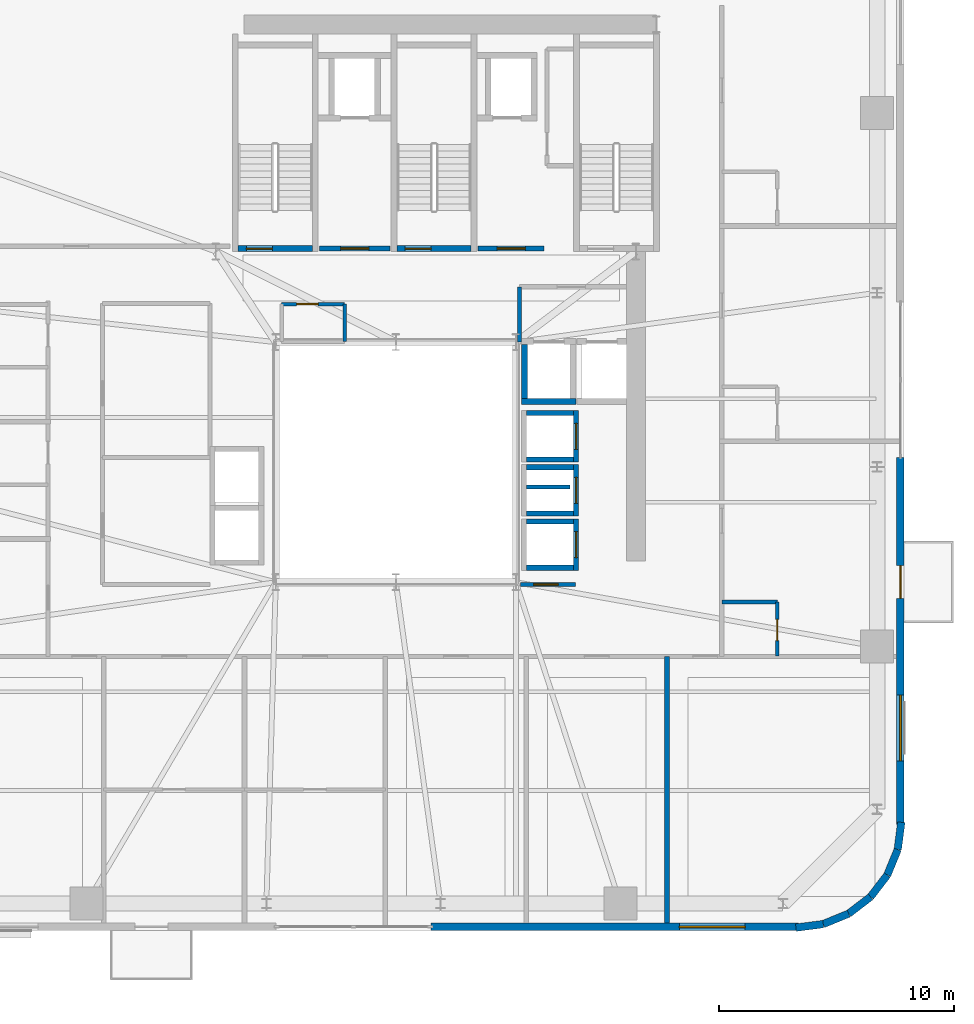
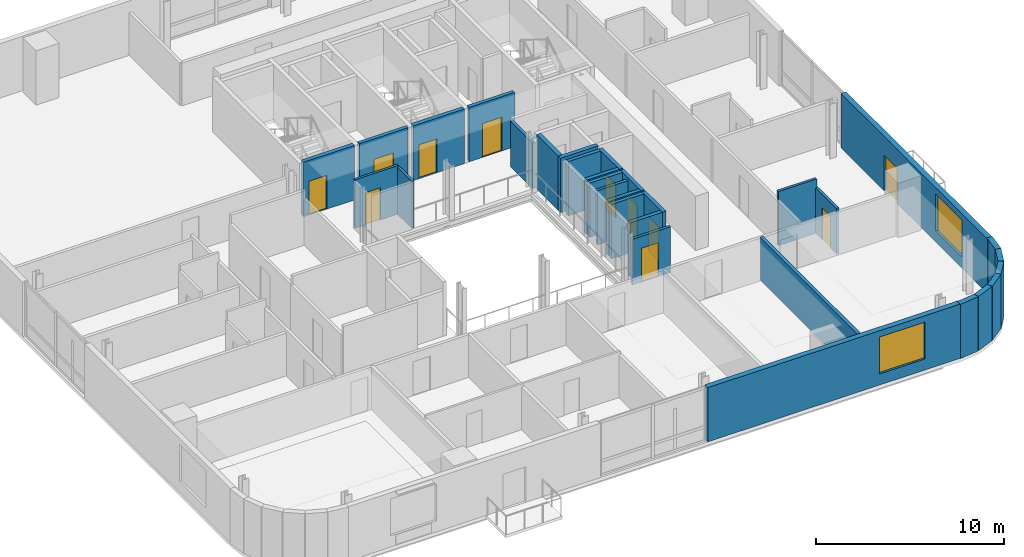
# One storey, part 9 of 16: 31 walls, 11 doors, 2 windows, 13 openings.
"""IFC4 building model written with IfcOpenShell, lengths in metres."""

from ifc_helpers import new_model, si_unit, direction, frame, frame_2d, origin, place, context, subcontext, project, spatial, rectangle, extrude, source, transform, mapped, material, layer, layer_set, type_object, element, fill, save


model = new_model("IFC4")

# Units and contexts
model_context = context("Model", 3, precision=1e-05, world=origin(), true_north=direction((0.0, 1.0)))
body_context = subcontext(model_context, "Body", "Model", "MODEL_VIEW")
ifc_project = project(units=[si_unit("LENGTHUNIT", "METRE"), si_unit("AREAUNIT", "SQUARE_METRE"), si_unit("VOLUMEUNIT", "CUBIC_METRE"), si_unit("PLANEANGLEUNIT", "RADIAN"), si_unit("MASSUNIT", "GRAM", prefix="KILO")], contexts=[model_context])

# Site, building, storey
site_placement = place(None, origin())
site = spatial("IfcSite", under=ifc_project, at=site_placement, CompositionType="ELEMENT")
building_placement = place(site_placement, origin())
building = spatial("IfcBuilding", under=site, at=building_placement, Name="Vardaveli Station Tower", CompositionType="ELEMENT")
storey_placement = place(building_placement, frame((0.0, 0.0, 203.550048828125)))
storey = spatial("IfcBuildingStorey", under=building, at=storey_placement, Name="L52", CompositionType="ELEMENT", Elevation=203.550048828125)

# Wall, opening, window
ifc_material_1 = material(Name="Precast concrete C45/55", Category="concrete")
ifc_layer_1 = layer(ifc_material_1, 0.320068359375, Name="Precast concrete C45/55")
ifc_layer_set_1 = layer_set([ifc_layer_1], Name="Precast concrete C45/55")
wall_type_1 = type_object("IfcWallType", Name="WAL-EXT-STONE-320", PredefinedType="SOLIDWALL", material=ifc_layer_set_1)
shared_shape_1 = source(origin(), body_context, "Body", "SweptSolid", [
    extrude(rectangle(XDim=15.599853515625, YDim=0.320068359375, at=frame_2d((7.7998046875, 0.0))), origin(), (0.0, 0.0, 1.0), 3.530029296875),
])
wall_1_placement = place(storey_placement, frame((37.800048828125, 1.9599609375, 0.0), z_axis=(0.0, 0.0, 1.0), x_axis=(1.0, 0.0, 0.0)))
wall_1 = element("IfcWall", 1, at=wall_1_placement, inside=storey, type_object=wall_type_1, Name="EW-L52-S2", PredefinedType="SOLIDWALL", context=body_context, shape_type="MappedRepresentation", body=[
    mapped(shared_shape_1, transform((0.0, 0.0, 0.0), scale=1.0)),
])
shared_shape_2 = source(origin(), body_context, "Body", "SweptSolid", [
    extrude(rectangle(XDim=2.800048828125, YDim=2.39990234375, at=frame_2d((1.39990234375, 1.199951171875))), frame((0.0, 0.169921875, 0.0), z_axis=(0.0, -1.0, 0.0), x_axis=(1.0, 0.0, 0.0)), (0.0, 0.0, 1.0), 0.340087890625),
])
opening_1_placement = place(wall_1_placement, frame((10.544921875, 0.0, 0.719970703125)))
opening_1 = element("IfcOpeningElement", 2, at=opening_1_placement, cuts=wall_1, Name="Opening W-04", PredefinedType="OPENING", context=body_context, shape_type="MappedRepresentation", body=[
    mapped(shared_shape_2, transform((0.0, 0.0, 0.0), scale=1.0)),
])
ifc_material_2 = material(Name="Low-E solar-control glass", Category="glass")
window_type = type_object("IfcWindowType", Name="WIN-SUITE-2800x2400", PartitioningType="SINGLE_PANEL", PredefinedType="WINDOW", material=ifc_material_2)
shared_shape_3 = source(origin(), body_context, "Body", "SweptSolid", [
    extrude(rectangle(XDim=2.800048828125, YDim=2.39990234375, at=frame_2d((1.39990234375, 1.199951171875))), frame((0.0, 0.030029296875, 0.0), z_axis=(0.0, -1.0, 0.0), x_axis=(1.0, 0.0, 0.0)), (0.0, 0.0, 1.0), 0.06005859375),
])
window_1_placement = place(opening_1_placement, origin())
window_1 = element("IfcWindow", 3, at=window_1_placement, inside=storey, type_object=window_type, Name="WN-L52-S2", OverallHeight=2.39990234375, OverallWidth=2.800048828125, PartitioningType="SINGLE_PANEL", PredefinedType="WINDOW", context=body_context, shape_type="MappedRepresentation", body=[
    mapped(shared_shape_3, transform((0.0, 0.0, 0.0), scale=1.0)),
])
fill(opening_1, window_1)

# Wall, openings, door, window
wall_2_placement = place(storey_placement, frame((57.739990234375, 6.300048828125, 0.0), z_axis=(0.0, 0.0, 1.0), x_axis=(0.0, 1.0, 0.0)))
wall_2 = element("IfcWall", 4, at=wall_2_placement, inside=storey, type_object=wall_type_1, Name="EW-L52-E1", PredefinedType="SOLIDWALL", context=body_context, shape_type="MappedRepresentation", body=[
    mapped(shared_shape_1, transform((0.0, 0.0, 0.0), scale=1.0)),
])
shared_shape_4 = source(origin(), body_context, "Body", "SweptSolid", [
    extrude(rectangle(XDim=1.39990234375, YDim=2.300048828125, at=frame_2d((0.699951171875, 1.14990234375))), frame((0.0, 0.169921875, 0.0), z_axis=(0.0, -1.0, 0.0), x_axis=(1.0, 0.0, 0.0)), (0.0, 0.0, 1.0), 0.340087890625),
])
opening_2_placement = place(wall_2_placement, frame((9.6103515625, 0.0, 0.0)))
opening_2 = element("IfcOpeningElement", 5, at=opening_2_placement, cuts=wall_2, Name="Opening D-09", PredefinedType="OPENING", context=body_context, shape_type="MappedRepresentation", body=[
    mapped(shared_shape_4, transform((0.0, 0.0, 0.0), scale=1.0)),
])
opening_3_placement = place(wall_2_placement, frame((2.705078125, 0.0, 0.719970703125)))
opening_3 = element("IfcOpeningElement", 6, at=opening_3_placement, cuts=wall_2, Name="Opening W-04", PredefinedType="OPENING", context=body_context, shape_type="MappedRepresentation", body=[
    mapped(shared_shape_2, transform((0.0, 0.0, 0.0), scale=1.0)),
])
ifc_material_3 = material(Name="Thermally broken aluminium glass", Category="aluminium")
door_type_1 = type_object("IfcDoorType", Name="DR-LOG-1400x2300", OperationType="DOUBLE_DOOR_SLIDING", PredefinedType="DOOR", material=ifc_material_3)
shared_shape_5 = source(origin(), body_context, "Body", "SweptSolid", [
    extrude(rectangle(XDim=1.39990234375, YDim=2.300048828125, at=frame_2d((0.699951171875, 1.14990234375))), frame((0.0, 0.02490234375, 0.0), z_axis=(0.0, -1.0, 0.0), x_axis=(1.0, 0.0, 0.0)), (0.0, 0.0, 1.0), 0.050048828125),
])
door_1_placement = place(opening_2_placement, frame((1.39990234375, 0.0, 0.0), z_axis=(0.0, 0.0, 1.0), x_axis=(-1.0, 0.0, 0.0)))
door_1 = element("IfcDoor", 7, at=door_1_placement, inside=storey, type_object=door_type_1, Name="DLG-L52-E", OperationType="DOUBLE_DOOR_SLIDING", OverallHeight=2.300048828125, OverallWidth=1.39990234375, PredefinedType="DOOR", context=body_context, shape_type="MappedRepresentation", body=[
    mapped(shared_shape_5, transform((0.0, 0.0, 0.0), scale=1.0)),
])
fill(opening_2, door_1)
window_2_placement = place(opening_3_placement, origin())
window_2 = element("IfcWindow", 8, at=window_2_placement, inside=storey, type_object=window_type, Name="WN-L52-E1", OverallHeight=2.39990234375, OverallWidth=2.800048828125, PartitioningType="SINGLE_PANEL", PredefinedType="WINDOW", context=body_context, shape_type="MappedRepresentation", body=[
    mapped(shared_shape_3, transform((0.0, 0.0, 0.0), scale=1.0)),
])
fill(opening_3, window_2)

# Walls
shared_shape_6 = source(origin(), body_context, "Body", "SweptSolid", [
    extrude(rectangle(XDim=1.170654296875, YDim=0.320068359375, at=frame_2d((0.58544921875, 0.0))), origin(), (0.0, 0.0, 1.0), 3.530029296875),
])
wall_3_placement = place(storey_placement, frame((57.62548828125, 5.23974609375, 0.0), z_axis=(0.0, 0.0, 1.0), x_axis=(0.128269133229, 0.991739395941, 0.0)))
element("IfcWall", 9, at=wall_3_placement, inside=storey, type_object=wall_type_1, Name="EW-L52-CR2-6", PredefinedType="SOLIDWALL", context=body_context, shape_type="MappedRepresentation", body=[
    mapped(shared_shape_6, transform((0.0, 0.0, 0.0), scale=1.0)),
])
shared_shape_7 = source(origin(), body_context, "Body", "SweptSolid", [
    extrude(rectangle(XDim=1.1689453125, YDim=0.320068359375, at=frame_2d((0.58447265625, 0.0))), origin(), (0.0, 0.0, 1.0), 3.530029296875),
])
for number, where, z_axis, x_axis, name in (
    (10, (56.46875, 3.231201171875, 0.0), (0.0, 0.0, 1.0), (0.608387696831, 0.793639975269, 0.0), "EW-L52-CR2-4"),
    (11, (57.179931640625, 4.158935546875, 0.0), (0.0, 0.0, 1.0), (0.381127904695, 0.924522320046, 0.0), "EW-L52-CR2-5"),
):
    element("IfcWall", number, at=place(storey_placement, frame(where, z_axis=z_axis, x_axis=x_axis)), inside=storey, type_object=wall_type_1, Name=name, PredefinedType="SOLIDWALL", context=body_context, shape_type="MappedRepresentation", body=[
        mapped(shared_shape_7, transform((0.0, 0.0, 0.0), scale=1.0)),
    ])
shared_shape_8 = source(origin(), body_context, "Body", "SweptSolid", [
    extrude(rectangle(XDim=1.168701171875, YDim=0.320068359375, at=frame_2d((0.58447265625, 0.0))), origin(), (0.0, 0.0, 1.0), 3.530029296875),
])
wall_4_placement = place(storey_placement, frame((55.541259765625, 2.520263671875, 0.0), z_axis=(0.0, 0.0, 1.0), x_axis=(0.793663520347, 0.608356981114, 0.0)))
element("IfcWall", 12, at=wall_4_placement, inside=storey, type_object=wall_type_1, Name="EW-L52-CR2-3", PredefinedType="SOLIDWALL", context=body_context, shape_type="MappedRepresentation", body=[
    mapped(shared_shape_8, transform((0.0, 0.0, 0.0), scale=1.0)),
])
shared_shape_9 = source(origin(), body_context, "Body", "SweptSolid", [
    extrude(rectangle(XDim=1.16943359375, YDim=0.320068359375, at=frame_2d((0.584716796875, 0.0))), origin(), (0.0, 0.0, 1.0), 3.530029296875),
])
wall_5_placement = place(storey_placement, frame((54.460205078125, 2.074462890625, 0.0), z_axis=(0.0, 0.0, 1.0), x_axis=(0.924479075121, 0.381232789334, 0.0)))
element("IfcWall", 13, at=wall_5_placement, inside=storey, type_object=wall_type_1, Name="EW-L52-CR2-2", PredefinedType="SOLIDWALL", context=body_context, shape_type="MappedRepresentation", body=[
    mapped(shared_shape_9, transform((0.0, 0.0, 0.0), scale=1.0)),
])
shared_shape_10 = source(origin(), body_context, "Body", "SweptSolid", [
    extrude(rectangle(XDim=1.170166015625, YDim=0.320068359375, at=frame_2d((0.5849609375, 0.0))), origin(), (0.0, 0.0, 1.0), 3.530029296875),
])
wall_6_placement = place(storey_placement, frame((53.299560546875, 1.924560546875, 0.0), z_axis=(0.0, 0.0, 1.0), x_axis=(0.991762485493, 0.128090485085, 0.0)))
element("IfcWall", 14, at=wall_6_placement, inside=storey, type_object=wall_type_1, Name="EW-L52-CR2-1", PredefinedType="SOLIDWALL", context=body_context, shape_type="MappedRepresentation", body=[
    mapped(shared_shape_10, transform((0.0, 0.0, 0.0), scale=1.0)),
])

# Wall, opening, door
ifc_material_4 = material(Name="Concrete C40/50", Category="concrete")
ifc_layer_2 = layer(ifc_material_4, 0.25, Name="Concrete C40/50")
ifc_layer_set_2 = layer_set([ifc_layer_2], Name="Concrete C40/50")
wall_type_2 = type_object("IfcWallType", Name="WAL-SHAFT-250", PredefinedType="SOLIDWALL", material=ifc_layer_set_2)
shared_shape_11 = source(origin(), body_context, "Body", "SweptSolid", [
    extrude(rectangle(XDim=3.14990234375, YDim=0.25, at=frame_2d((1.574951171875, 0.0))), origin(), (0.0, 0.0, 1.0), 3.550048828125),
])
wall_7_placement = place(storey_placement, frame((29.60009765625, 30.77490234375, 0.0), z_axis=(0.0, 0.0, 1.0), x_axis=(1.0, 0.0, 0.0)))
wall_7 = element("IfcWall", 15, at=wall_7_placement, inside=storey, type_object=wall_type_2, Name="W-L52-ST-1S", PredefinedType="SOLIDWALL", context=body_context, shape_type="MappedRepresentation", body=[
    mapped(shared_shape_11, transform((0.0, 0.0, 0.0), scale=1.0)),
])
shared_shape_12 = source(origin(), body_context, "Body", "SweptSolid", [
    extrude(rectangle(XDim=1.10009765625, YDim=2.199951171875, at=frame_2d((0.550048828125, 1.10009765625))), frame((0.0, 0.135009765625, 0.0), z_axis=(0.0, -1.0, 0.0), x_axis=(1.0, 0.0, 0.0)), (0.0, 0.0, 1.0), 0.27001953125),
])
opening_4_placement = place(wall_7_placement, frame((0.35009765625, 0.0, 0.0)))
opening_4 = element("IfcOpeningElement", 16, at=opening_4_placement, cuts=wall_7, Name="Opening D-04", PredefinedType="OPENING", context=body_context, shape_type="MappedRepresentation", body=[
    mapped(shared_shape_12, transform((0.0, 0.0, 0.0), scale=1.0)),
])
ifc_material_5 = material(Name="Steel smokeproof fire doorset", Category="steel")
door_type_2 = type_object("IfcDoorType", Name="DR-ST-1100x2200", OperationType="NOTDEFINED", PredefinedType="DOOR", material=ifc_material_5)
shared_shape_13 = source(origin(), body_context, "Body", "SweptSolid", [
    extrude(rectangle(XDim=1.10009765625, YDim=2.199951171875, at=frame_2d((0.550048828125, 1.10009765625))), frame((0.0, 0.02490234375, 0.0), z_axis=(0.0, -1.0, 0.0), x_axis=(1.0, 0.0, 0.0)), (0.0, 0.0, 1.0), 0.050048828125),
])
door_2_placement = place(opening_4_placement, origin())
door_2 = element("IfcDoor", 17, at=door_2_placement, inside=storey, type_object=door_type_2, Name="DST-1-L52", OperationType="SINGLE_SWING_LEFT", OverallHeight=2.199951171875, OverallWidth=1.10009765625, PredefinedType="DOOR", context=body_context, shape_type="MappedRepresentation", body=[
    mapped(shared_shape_13, transform((0.0, 0.0, 0.0), scale=1.0)),
])
fill(opening_4, door_2)

wall_8_placement = place(storey_placement, frame((36.35009765625, 30.77490234375, 0.0), z_axis=(0.0, 0.0, 1.0), x_axis=(1.0, 0.0, 0.0)))
wall_8 = element("IfcWall", 18, at=wall_8_placement, inside=storey, type_object=wall_type_2, Name="W-L52-ST-2S", PredefinedType="SOLIDWALL", context=body_context, shape_type="MappedRepresentation", body=[
    mapped(shared_shape_11, transform((0.0, 0.0, 0.0), scale=1.0)),
])
opening_5_placement = place(wall_8_placement, frame((0.35009765625, 0.0, 0.0)))
opening_5 = element("IfcOpeningElement", 19, at=opening_5_placement, cuts=wall_8, Name="Opening D-04", PredefinedType="OPENING", context=body_context, shape_type="MappedRepresentation", body=[
    mapped(shared_shape_12, transform((0.0, 0.0, 0.0), scale=1.0)),
])
door_3_placement = place(opening_5_placement, origin())
door_3 = element("IfcDoor", 20, at=door_3_placement, inside=storey, type_object=door_type_2, Name="DST-2-L52", OperationType="SINGLE_SWING_LEFT", OverallHeight=2.199951171875, OverallWidth=1.10009765625, PredefinedType="DOOR", context=body_context, shape_type="MappedRepresentation", body=[
    mapped(shared_shape_13, transform((0.0, 0.0, 0.0), scale=1.0)),
])
fill(opening_5, door_3)

ifc_layer_3 = layer(ifc_material_4, 0.219970703125, Name="Concrete C40/50")
ifc_layer_set_3 = layer_set([ifc_layer_3], Name="Concrete C40/50")
wall_type_3 = type_object("IfcWallType", Name="WAL-FFLOBBY-220", PredefinedType="SOLIDWALL", material=ifc_layer_set_3)
shared_shape_14 = source(origin(), body_context, "Body", "SweptSolid", [
    extrude(rectangle(XDim=3.0, YDim=0.219970703125, at=frame_2d((1.5, 0.0))), origin(), (0.0, 0.0, 1.0), 3.530029296875),
])
wall_9_placement = place(storey_placement, frame((33.050048828125, 30.780029296875, 0.0), z_axis=(0.0, 0.0, 1.0), x_axis=(1.0, 0.0, 0.0)))
wall_9 = element("IfcWall", 21, at=wall_9_placement, inside=storey, type_object=wall_type_3, Name="W-L52-FFL1S", PredefinedType="SOLIDWALL", context=body_context, shape_type="MappedRepresentation", body=[
    mapped(shared_shape_14, transform((0.0, 0.0, 0.0), scale=1.0)),
])
shared_shape_15 = source(origin(), body_context, "Body", "SweptSolid", [
    extrude(rectangle(XDim=1.199951171875, YDim=2.199951171875, at=frame_2d((0.60009765625, 1.10009765625))), frame((0.0, 0.1201171875, 0.0), z_axis=(0.0, -1.0, 0.0), x_axis=(1.0, 0.0, 0.0)), (0.0, 0.0, 1.0), 0.239990234375),
])
opening_6_placement = place(wall_9_placement, frame((0.89990234375, 0.0, 0.0)))
opening_6 = element("IfcOpeningElement", 22, at=opening_6_placement, cuts=wall_9, Name="Opening D-03", PredefinedType="OPENING", context=body_context, shape_type="MappedRepresentation", body=[
    mapped(shared_shape_15, transform((0.0, 0.0, 0.0), scale=1.0)),
])
door_type_3 = type_object("IfcDoorType", Name="DR-FFL-1200x2200", OperationType="NOTDEFINED", PredefinedType="DOOR", material=ifc_material_5)
shared_shape_16 = source(origin(), body_context, "Body", "SweptSolid", [
    extrude(rectangle(XDim=1.199951171875, YDim=2.199951171875, at=frame_2d((0.60009765625, 1.10009765625))), frame((0.0, 0.02490234375, 0.0), z_axis=(0.0, -1.0, 0.0), x_axis=(1.0, 0.0, 0.0)), (0.0, 0.0, 1.0), 0.050048828125),
])
door_4_placement = place(opening_6_placement, origin())
door_4 = element("IfcDoor", 23, at=door_4_placement, inside=storey, type_object=door_type_3, Name="DFFL1-L52", OperationType="SINGLE_SWING_LEFT", OverallHeight=2.199951171875, OverallWidth=1.199951171875, PredefinedType="DOOR", context=body_context, shape_type="MappedRepresentation", body=[
    mapped(shared_shape_16, transform((0.0, 0.0, 0.0), scale=1.0)),
])
fill(opening_6, door_4)

shared_shape_17 = source(origin(), body_context, "Body", "SweptSolid", [
    extrude(rectangle(XDim=2.800048828125, YDim=0.219970703125, at=frame_2d((1.39990234375, 0.0))), origin(), (0.0, 0.0, 1.0), 3.530029296875),
])
wall_10_placement = place(storey_placement, frame((39.800048828125, 30.780029296875, 0.0), z_axis=(0.0, 0.0, 1.0), x_axis=(1.0, 0.0, 0.0)))
wall_10 = element("IfcWall", 24, at=wall_10_placement, inside=storey, type_object=wall_type_3, Name="W-L52-FFL2S", PredefinedType="SOLIDWALL", context=body_context, shape_type="MappedRepresentation", body=[
    mapped(shared_shape_17, transform((0.0, 0.0, 0.0), scale=1.0)),
])
opening_7_placement = place(wall_10_placement, frame((0.800048828125, 0.0, 0.0)))
opening_7 = element("IfcOpeningElement", 25, at=opening_7_placement, cuts=wall_10, Name="Opening D-03", PredefinedType="OPENING", context=body_context, shape_type="MappedRepresentation", body=[
    mapped(shared_shape_15, transform((0.0, 0.0, 0.0), scale=1.0)),
])
door_5_placement = place(opening_7_placement, origin())
door_5 = element("IfcDoor", 26, at=door_5_placement, inside=storey, type_object=door_type_3, Name="DFFL2-L52", OperationType="SINGLE_SWING_RIGHT", OverallHeight=2.199951171875, OverallWidth=1.199951171875, PredefinedType="DOOR", context=body_context, shape_type="MappedRepresentation", body=[
    mapped(shared_shape_16, transform((0.0, 0.0, 0.0), scale=1.0)),
])
fill(opening_7, door_5)

# Walls
shared_shape_18 = source(origin(), body_context, "Body", "SweptSolid", [
    extrude(rectangle(XDim=2.0, YDim=0.219970703125, at=frame_2d((1.0, 0.0))), origin(), (0.0, 0.0, 1.0), 3.530029296875),
])
for number, where, z_axis, x_axis, name in (
    (27, (41.85009765625, 21.81494140625, 0.0), (0.0, 0.0, 1.0), (1.0, 0.0, 0.0), "SHW-HL3-01-L52-S"),
    (28, (41.85009765625, 23.784912109375, 0.0), (0.0, 0.0, 1.0), (1.0, 0.0, 0.0), "SHW-HL3-01-L52-N"),
    (29, (41.85009765625, 19.514892578125, 0.0), (0.0, 0.0, 1.0), (1.0, 0.0, 0.0), "SHW-HL3-02-L52-S"),
    (30, (41.85009765625, 21.485107421875, 0.0), (0.0, 0.0, 1.0), (1.0, 0.0, 0.0), "SHW-HL3-02-L52-N"),
    (31, (41.85009765625, 17.215087890625, 0.0), (0.0, 0.0, 1.0), (1.0, 0.0, 0.0), "SHW-HL3-03-L52-S"),
    (32, (41.85009765625, 19.18505859375, 0.0), (0.0, 0.0, 1.0), (1.0, 0.0, 0.0), "SHW-HL3-03-L52-N"),
):
    element("IfcWall", number, at=place(storey_placement, frame(where, z_axis=z_axis, x_axis=x_axis)), inside=storey, type_object=wall_type_3, Name=name, PredefinedType="SOLIDWALL", context=body_context, shape_type="MappedRepresentation", body=[
        mapped(shared_shape_18, transform((0.0, 0.0, 0.0), scale=1.0)),
    ])

# Wall, opening, door
shared_shape_19 = source(origin(), body_context, "Body", "SweptSolid", [
    extrude(rectangle(XDim=2.18994140625, YDim=0.219970703125, at=frame_2d((1.094970703125, 0.0))), origin(), (0.0, 0.0, 1.0), 3.530029296875),
])
wall_11_placement = place(storey_placement, frame((43.9599609375, 21.705078125, 0.0), z_axis=(0.0, 0.0, 1.0), x_axis=(0.0, 1.0, 0.0)))
wall_11 = element("IfcWall", 33, at=wall_11_placement, inside=storey, type_object=wall_type_3, Name="SHW-HL3-01-L52-E", PredefinedType="SOLIDWALL", context=body_context, shape_type="MappedRepresentation", body=[
    mapped(shared_shape_19, transform((0.0, 0.0, 0.0), scale=1.0)),
])
shared_shape_20 = source(origin(), body_context, "Body", "SweptSolid", [
    extrude(rectangle(XDim=1.10009765625, YDim=2.199951171875, at=frame_2d((0.550048828125, 1.10009765625))), frame((0.0, 0.1201171875, 0.0), z_axis=(0.0, -1.0, 0.0), x_axis=(1.0, 0.0, 0.0)), (0.0, 0.0, 1.0), 0.239990234375),
])
opening_8_placement = place(wall_11_placement, frame((0.544921875, 0.0, 0.0)))
opening_8 = element("IfcOpeningElement", 34, at=opening_8_placement, cuts=wall_11, Name="Opening LD-01", PredefinedType="OPENING", context=body_context, shape_type="MappedRepresentation", body=[
    mapped(shared_shape_20, transform((0.0, 0.0, 0.0), scale=1.0)),
])
ifc_material_6 = material(Name="Brushed stainless steel", Category="steel")
door_type_4 = type_object("IfcDoorType", Name="DR-LD-1100x2200", OperationType="DOUBLE_DOOR_SLIDING", PredefinedType="DOOR", material=ifc_material_6)
door_6_placement = place(opening_8_placement, origin())
door_6 = element("IfcDoor", 35, at=door_6_placement, inside=storey, type_object=door_type_4, Name="LD-HL3-01-L52", OperationType="DOUBLE_DOOR_SLIDING", OverallHeight=2.199951171875, OverallWidth=1.10009765625, PredefinedType="DOOR", context=body_context, shape_type="MappedRepresentation", body=[
    mapped(shared_shape_13, transform((0.0, 0.0, 0.0), scale=1.0)),
])
fill(opening_8, door_6)

wall_12_placement = place(storey_placement, frame((43.9599609375, 19.405029296875, 0.0), z_axis=(0.0, 0.0, 1.0), x_axis=(0.0, 1.0, 0.0)))
wall_12 = element("IfcWall", 36, at=wall_12_placement, inside=storey, type_object=wall_type_3, Name="SHW-HL3-02-L52-E", PredefinedType="SOLIDWALL", context=body_context, shape_type="MappedRepresentation", body=[
    mapped(shared_shape_19, transform((0.0, 0.0, 0.0), scale=1.0)),
])
opening_9_placement = place(wall_12_placement, frame((0.544921875, 0.0, 0.0)))
opening_9 = element("IfcOpeningElement", 37, at=opening_9_placement, cuts=wall_12, Name="Opening LD-01", PredefinedType="OPENING", context=body_context, shape_type="MappedRepresentation", body=[
    mapped(shared_shape_20, transform((0.0, 0.0, 0.0), scale=1.0)),
])
door_7_placement = place(opening_9_placement, origin())
door_7 = element("IfcDoor", 38, at=door_7_placement, inside=storey, type_object=door_type_4, Name="LD-HL3-02-L52", OperationType="DOUBLE_DOOR_SLIDING", OverallHeight=2.199951171875, OverallWidth=1.10009765625, PredefinedType="DOOR", context=body_context, shape_type="MappedRepresentation", body=[
    mapped(shared_shape_13, transform((0.0, 0.0, 0.0), scale=1.0)),
])
fill(opening_9, door_7)

wall_13_placement = place(storey_placement, frame((43.9599609375, 17.10498046875, 0.0), z_axis=(0.0, 0.0, 1.0), x_axis=(0.0, 1.0, 0.0)))
wall_13 = element("IfcWall", 39, at=wall_13_placement, inside=storey, type_object=wall_type_3, Name="SHW-HL3-03-L52-E", PredefinedType="SOLIDWALL", context=body_context, shape_type="MappedRepresentation", body=[
    mapped(shared_shape_19, transform((0.0, 0.0, 0.0), scale=1.0)),
])
opening_10_placement = place(wall_13_placement, frame((0.544921875, 0.0, 0.0)))
opening_10 = element("IfcOpeningElement", 40, at=opening_10_placement, cuts=wall_13, Name="Opening LD-01", PredefinedType="OPENING", context=body_context, shape_type="MappedRepresentation", body=[
    mapped(shared_shape_20, transform((0.0, 0.0, 0.0), scale=1.0)),
])
door_8_placement = place(opening_10_placement, origin())
door_8 = element("IfcDoor", 41, at=door_8_placement, inside=storey, type_object=door_type_4, Name="LD-HL3-03-L52", OperationType="DOUBLE_DOOR_SLIDING", OverallHeight=2.199951171875, OverallWidth=1.10009765625, PredefinedType="DOOR", context=body_context, shape_type="MappedRepresentation", body=[
    mapped(shared_shape_13, transform((0.0, 0.0, 0.0), scale=1.0)),
])
fill(opening_10, door_8)

# Walls
shared_shape_21 = source(origin(), body_context, "Body", "SweptSolid", [
    extrude(rectangle(XDim=2.300048828125, YDim=0.25, at=frame_2d((1.14990234375, 0.0))), origin(), (0.0, 0.0, 1.0), 3.530029296875),
])
for number, where, z_axis, x_axis, name in (
    (42, (41.64990234375, 24.27490234375, 0.0), (0.0, 0.0, 1.0), (1.0, 0.0, 0.0), "SHW-SRV-01-L52-S"),
    (43, (41.77490234375, 24.39990234375, 0.0), (0.0, 0.0, 1.0), (0.0, 1.0, 0.0), "SHW-SRV-01-L52-W"),
):
    element("IfcWall", number, at=place(storey_placement, frame(where, z_axis=z_axis, x_axis=x_axis)), inside=storey, type_object=wall_type_2, Name=name, PredefinedType="SOLIDWALL", context=body_context, shape_type="MappedRepresentation", body=[
        mapped(shared_shape_21, transform((0.0, 0.0, 0.0), scale=1.0)),
    ])

# Wall, opening, door
ifc_material_7 = material(Name="Fire-rated gypsum stud partition")
ifc_layer_4 = layer(ifc_material_7, 0.179931640625, Name="Fire-rated gypsum stud partition")
ifc_layer_set_4 = layer_set([ifc_layer_4], Name="Fire-rated gypsum stud partition")
wall_type_4 = type_object("IfcWallType", Name="WAL-CORR-180", PredefinedType="PARTITIONING", material=ifc_layer_set_4)
shared_shape_22 = source(origin(), body_context, "Body", "SweptSolid", [
    extrude(rectangle(XDim=2.329833984375, YDim=0.179931640625, at=frame_2d((1.1650390625, 0.0))), origin(), (0.0, 0.0, 1.0), 2.971923828125),
])
wall_14_placement = place(storey_placement, frame((41.60009765625, 16.5, 0.0), z_axis=(0.0, 0.0, 1.0), x_axis=(1.0, 0.0, 0.0)))
wall_14 = element("IfcWall", 44, at=wall_14_placement, inside=storey, type_object=wall_type_4, Name="W-L52-ATE-S", PredefinedType="PARTITIONING", context=body_context, shape_type="MappedRepresentation", body=[
    mapped(shared_shape_22, transform((0.0, 0.0, 0.0), scale=1.0)),
])
shared_shape_23 = source(origin(), body_context, "Body", "SweptSolid", [
    extrude(rectangle(XDim=1.050048828125, YDim=2.199951171875, at=frame_2d((0.52490234375, 1.10009765625))), frame((0.0, 0.10009765625, 0.0), z_axis=(0.0, -1.0, 0.0), x_axis=(1.0, 0.0, 0.0)), (0.0, 0.0, 1.0), 0.199951171875),
])
opening_11_placement = place(wall_14_placement, frame((0.550048828125, 0.0, 0.0)))
opening_11 = element("IfcOpeningElement", 45, at=opening_11_placement, cuts=wall_14, Name="Opening D-05", PredefinedType="OPENING", context=body_context, shape_type="MappedRepresentation", body=[
    mapped(shared_shape_23, transform((0.0, 0.0, 0.0), scale=1.0)),
])
ifc_material_8 = material(Name="Walnut veneer acoustic fire door")
door_type_5 = type_object("IfcDoorType", Name="DR-SUITE-1050x2200", OperationType="NOTDEFINED", PredefinedType="DOOR", material=ifc_material_8)
shared_shape_24 = source(origin(), body_context, "Body", "SweptSolid", [
    extrude(rectangle(XDim=1.050048828125, YDim=2.199951171875, at=frame_2d((0.52490234375, 1.10009765625))), frame((0.0, 0.02490234375, 0.0), z_axis=(0.0, -1.0, 0.0), x_axis=(1.0, 0.0, 0.0)), (0.0, 0.0, 1.0), 0.050048828125),
])
door_9_placement = place(opening_11_placement, origin())
door_9 = element("IfcDoor", 46, at=door_9_placement, inside=storey, type_object=door_type_5, Name="D-L52-ATE1", OperationType="SINGLE_SWING_RIGHT", OverallHeight=2.199951171875, OverallWidth=1.050048828125, PredefinedType="DOOR", context=body_context, shape_type="MappedRepresentation", body=[
    mapped(shared_shape_24, transform((0.0, 0.0, 0.0), scale=1.0)),
])
fill(opening_11, door_9)

ifc_material_9 = material(Name="Moisture-resistant stud partition")
ifc_layer_5 = layer(ifc_material_9, 0.14990234375, Name="Moisture-resistant stud partition")
ifc_layer_set_5 = layer_set([ifc_layer_5], Name="Moisture-resistant stud partition")
wall_type_5 = type_object("IfcWallType", Name="WAL-WET-150", PredefinedType="PARTITIONING", material=ifc_layer_set_5)
shared_shape_25 = source(origin(), body_context, "Body", "SweptSolid", [
    extrude(rectangle(XDim=2.2900390625, YDim=0.14990234375, at=frame_2d((1.14501953125, 0.0))), origin(), (0.0, 0.0, 1.0), 2.971923828125),
])
wall_15_placement = place(storey_placement, frame((52.510009765625, 13.469970703125, 0.0), z_axis=(0.0, 0.0, 1.0), x_axis=(0.0, 1.0, 0.0)))
wall_15 = element("IfcWall", 47, at=wall_15_placement, inside=storey, type_object=wall_type_5, Name="W-L52-BE1-E", PredefinedType="PARTITIONING", context=body_context, shape_type="MappedRepresentation", body=[
    mapped(shared_shape_25, transform((0.0, 0.0, 0.0), scale=1.0)),
])
shared_shape_26 = source(origin(), body_context, "Body", "SweptSolid", [
    extrude(rectangle(XDim=0.89990234375, YDim=2.10009765625, at=frame_2d((0.449951171875, 1.050048828125))), frame((0.0, 0.0849609375, 0.0), z_axis=(0.0, -1.0, 0.0), x_axis=(1.0, 0.0, 0.0)), (0.0, 0.0, 1.0), 0.169921875),
])
opening_12_placement = place(wall_15_placement, frame((0.64990234375, 0.0, 0.0)))
opening_12 = element("IfcOpeningElement", 48, at=opening_12_placement, cuts=wall_15, Name="Opening D-08", PredefinedType="OPENING", context=body_context, shape_type="MappedRepresentation", body=[
    mapped(shared_shape_26, transform((0.0, 0.0, 0.0), scale=1.0)),
])
ifc_material_10 = material(Name="Moisture-resistant oak door")
door_type_6 = type_object("IfcDoorType", Name="DR-BATH-900x2100", OperationType="NOTDEFINED", PredefinedType="DOOR", material=ifc_material_10)
shared_shape_27 = source(origin(), body_context, "Body", "SweptSolid", [
    extrude(rectangle(XDim=0.89990234375, YDim=2.10009765625, at=frame_2d((0.449951171875, 1.050048828125))), frame((0.0, 0.02490234375, 0.0), z_axis=(0.0, -1.0, 0.0), x_axis=(1.0, 0.0, 0.0)), (0.0, 0.0, 1.0), 0.050048828125),
])
door_10_placement = place(opening_12_placement, origin())
door_10 = element("IfcDoor", 49, at=door_10_placement, inside=storey, type_object=door_type_6, Name="D-L52-BE1", OperationType="SINGLE_SWING_RIGHT", OverallHeight=2.10009765625, OverallWidth=0.89990234375, PredefinedType="DOOR", context=body_context, shape_type="MappedRepresentation", body=[
    mapped(shared_shape_27, transform((0.0, 0.0, 0.0), scale=1.0)),
])
fill(opening_12, door_10)

# Walls
shared_shape_28 = source(origin(), body_context, "Body", "SweptSolid", [
    extrude(rectangle(XDim=2.360107421875, YDim=0.14990234375, at=frame_2d((1.18017578125, 0.0))), origin(), (0.0, 0.0, 1.0), 3.530029296875),
])
wall_16_placement = place(storey_placement, frame((50.14990234375, 15.760009765625, 0.0), z_axis=(0.0, 0.0, 1.0), x_axis=(1.0, 0.0, 0.0)))
element("IfcWall", 50, at=wall_16_placement, inside=storey, type_object=wall_type_5, Name="W-L52-BE1-N", PredefinedType="PARTITIONING", context=body_context, shape_type="MappedRepresentation", body=[
    mapped(shared_shape_28, transform((0.0, 0.0, 0.0), scale=1.0)),
])
shared_shape_29 = source(origin(), body_context, "Body", "SweptSolid", [
    extrude(rectangle(XDim=2.349853515625, YDim=0.179931640625, at=frame_2d((1.1748046875, 0.0))), origin(), (0.0, 0.0, 1.0), 2.971923828125),
])
wall_17_placement = place(storey_placement, frame((41.550048828125, 26.800048828125, 0.0), z_axis=(0.0, 0.0, 1.0), x_axis=(0.0, 1.0, 0.0)))
element("IfcWall", 51, at=wall_17_placement, inside=storey, type_object=wall_type_4, Name="W-L52-SVFW", PredefinedType="PARTITIONING", context=body_context, shape_type="MappedRepresentation", body=[
    mapped(shared_shape_29, transform((0.0, 0.0, 0.0), scale=1.0)),
])
shared_shape_30 = source(origin(), body_context, "Body", "SweptSolid", [
    extrude(rectangle(XDim=1.85791015625, YDim=0.179931640625, at=frame_2d((0.928955078125, 0.0))), origin(), (0.0, 0.0, 1.0), 3.530029296875),
])
wall_18_placement = place(storey_placement, frame((41.85205078125, 20.64990234375, 0.0), z_axis=(0.0, 0.0, 1.0), x_axis=(1.0, 0.0, 0.0)))
element("IfcWall", 52, at=wall_18_placement, inside=storey, type_object=wall_type_4, Name="W-L52-ATE-N", PredefinedType="PARTITIONING", context=body_context, shape_type="MappedRepresentation", body=[
    mapped(shared_shape_30, transform((0.0, 0.0, 0.0), scale=1.0)),
])

# Wall, opening, door
shared_shape_31 = source(origin(), body_context, "Body", "SweptSolid", [
    extrude(rectangle(XDim=2.670166015625, YDim=0.14990234375, at=frame_2d((1.3349609375, 0.0))), origin(), (0.0, 0.0, 1.0), 3.161865234375),
])
wall_19_placement = place(storey_placement, frame((31.449951171875, 28.419921875, 0.0), z_axis=(0.0, 0.0, 1.0), x_axis=(1.0, 0.0, 0.0)))
wall_19 = element("IfcWall", 53, at=wall_19_placement, inside=storey, type_object=wall_type_5, Name="W-L52-WCA1-N", PredefinedType="PARTITIONING", context=body_context, shape_type="MappedRepresentation", body=[
    mapped(shared_shape_31, transform((0.0, 0.0, 0.0), scale=1.0)),
])
shared_shape_32 = source(origin(), body_context, "Body", "SweptSolid", [
    extrude(rectangle(XDim=0.919921875, YDim=2.10009765625, at=frame_2d((0.4599609375, 1.050048828125))), frame((0.0, 0.0849609375, 0.0), z_axis=(0.0, -1.0, 0.0), x_axis=(1.0, 0.0, 0.0)), (0.0, 0.0, 1.0), 0.169921875),
])
opening_13_placement = place(wall_19_placement, frame((0.6298828125, 0.0, 0.0)))
opening_13 = element("IfcOpeningElement", 54, at=opening_13_placement, cuts=wall_19, Name="Opening D-07", PredefinedType="OPENING", context=body_context, shape_type="MappedRepresentation", body=[
    mapped(shared_shape_32, transform((0.0, 0.0, 0.0), scale=1.0)),
])
ifc_material_11 = material(Name="Moisture-resistant hardwood door", Category="wood")
door_type_7 = type_object("IfcDoorType", Name="DR-WC-920x2100", OperationType="NOTDEFINED", PredefinedType="DOOR", material=ifc_material_11)
shared_shape_33 = source(origin(), body_context, "Body", "SweptSolid", [
    extrude(rectangle(XDim=0.919921875, YDim=2.10009765625, at=frame_2d((0.4599609375, 1.050048828125))), frame((0.0, 0.02490234375, 0.0), z_axis=(0.0, -1.0, 0.0), x_axis=(1.0, 0.0, 0.0)), (0.0, 0.0, 1.0), 0.050048828125),
])
door_11_placement = place(opening_13_placement, origin())
door_11 = element("IfcDoor", 55, at=door_11_placement, inside=storey, type_object=door_type_7, Name="D-L52-WCA", OperationType="SINGLE_SWING_RIGHT", OverallHeight=2.10009765625, OverallWidth=0.919921875, PredefinedType="DOOR", context=body_context, shape_type="MappedRepresentation", body=[
    mapped(shared_shape_33, transform((0.0, 0.0, 0.0), scale=1.0)),
])
fill(opening_13, door_11)

# Walls
shared_shape_34 = source(origin(), body_context, "Body", "SweptSolid", [
    extrude(rectangle(XDim=1.599853515625, YDim=0.14990234375, at=frame_2d((0.7998046875, 0.0))), origin(), (0.0, 0.0, 1.0), 3.072021484375),
])
wall_20_placement = place(storey_placement, frame((34.1201171875, 26.820068359375, 0.0), z_axis=(0.0, 0.0, 1.0), x_axis=(0.0, 1.0, 0.0)))
element("IfcWall", 56, at=wall_20_placement, inside=storey, type_object=wall_type_5, Name="W-L52-WCA1-E", PredefinedType="PARTITIONING", context=body_context, shape_type="MappedRepresentation", body=[
    mapped(shared_shape_34, transform((0.0, 0.0, 0.0), scale=1.0)),
])
ifc_material_12 = material(Name="Acoustic twin-stud gypsum partition")
ifc_layer_6 = layer(ifc_material_12, 0.199951171875, Name="Acoustic twin-stud gypsum partition")
ifc_layer_set_6 = layer_set([ifc_layer_6], Name="Acoustic twin-stud gypsum partition")
wall_type_6 = type_object("IfcWallType", Name="WAL-PARTY-200", PredefinedType="PARTITIONING", material=ifc_layer_set_6)
shared_shape_35 = source(origin(), body_context, "Body", "SweptSolid", [
    extrude(rectangle(XDim=11.327880859375, YDim=0.199951171875, at=frame_2d((5.6640625, 0.0))), origin(), (0.0, 0.0, 1.0), 2.77197265625),
])
wall_21_placement = place(storey_placement, frame((47.820068359375, 2.1220703125, 0.0), z_axis=(0.0, 0.0, 1.0), x_axis=(0.0, 1.0, 0.0)))
element("IfcWall", 57, at=wall_21_placement, inside=storey, type_object=wall_type_6, Name="W-L52-PS5", PredefinedType="PARTITIONING", context=body_context, shape_type="MappedRepresentation", body=[
    mapped(shared_shape_35, transform((0.0, 0.0, 0.0), scale=1.0)),
])

save(model, "model.ifc")
